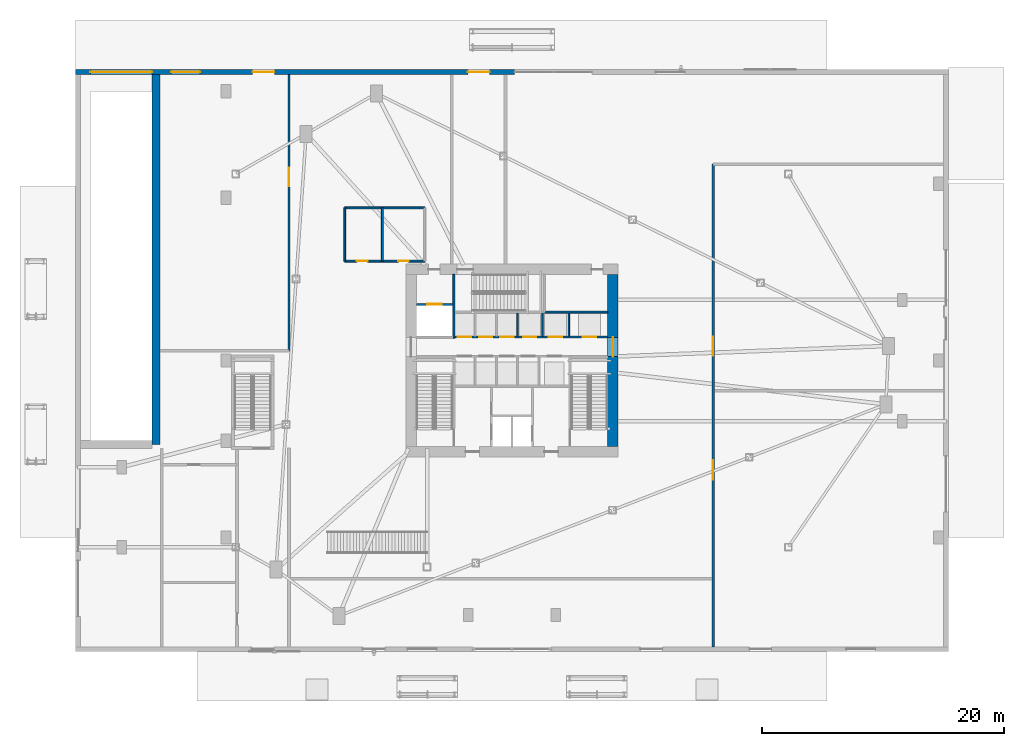
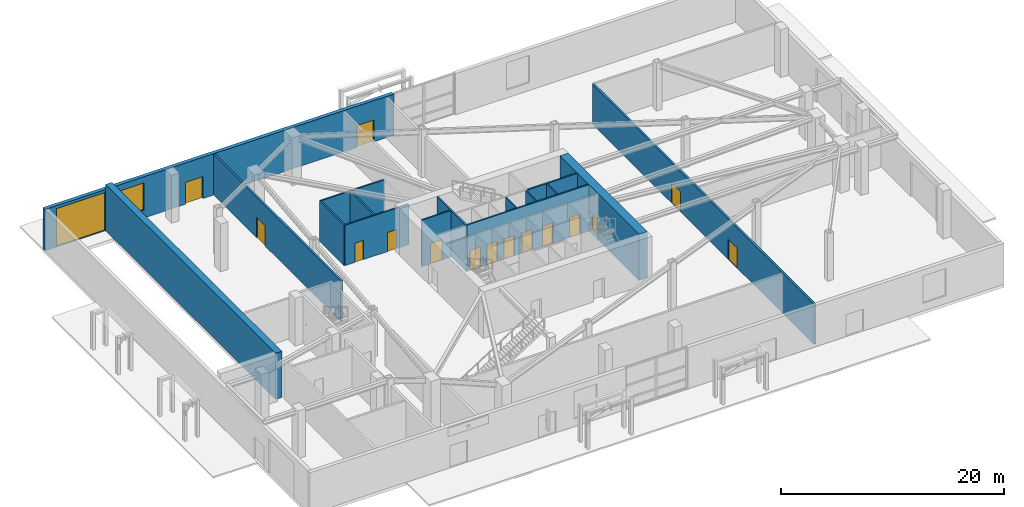
# One storey, part 15 of 22: 16 doors, 16 walls, 1 window, 17 openings.
"""IFC4 building model written with IfcOpenShell, lengths in metres."""

from ifc_helpers import new_model, si_unit, direction, frame, frame_2d, origin, place, context, subcontext, project, spatial, rectangle, extrude, source, transform, mapped, material, layer, layer_set, type_object, type_shapes, element, fill, save


model = new_model("IFC4")

# Units and contexts
model_context = context("Model", 3, precision=1e-05, world=origin(), true_north=direction((0.0, 1.0)))
body_context = subcontext(model_context, "Body", "Model", "MODEL_VIEW")
ifc_project = project(units=[si_unit("LENGTHUNIT", "METRE"), si_unit("AREAUNIT", "SQUARE_METRE"), si_unit("VOLUMEUNIT", "CUBIC_METRE"), si_unit("PLANEANGLEUNIT", "RADIAN"), si_unit("MASSUNIT", "GRAM", prefix="KILO")], contexts=[model_context])

# Site, building, storey
site_placement = place(None, origin())
site = spatial("IfcSite", under=ifc_project, at=site_placement, CompositionType="ELEMENT")
building_placement = place(site_placement, origin())
building = spatial("IfcBuilding", under=site, at=building_placement, Name="Olszyna Solenne Hotel", CompositionType="ELEMENT")
storey_placement = place(building_placement, origin())
storey = spatial("IfcBuildingStorey", under=building, at=storey_placement, Name="L00", CompositionType="ELEMENT", Elevation=0.0)

# Wall, opening, door
ifc_material_1 = material(Name="Concrete C60/75", Category="concrete")
ifc_layer_1 = layer(ifc_material_1, 0.85009765625, Name="Concrete C60/75")
ifc_layer_set_1 = layer_set([ifc_layer_1], Name="Concrete C60/75")
wall_type_1 = type_object("IfcWallType", Name="WL-CR850", PredefinedType="SHEAR", material=ifc_layer_set_1)
wall_1_placement = place(storey_placement, frame((46.324951171875, 33.699951171875, 0.0), z_axis=(0.0, 0.0, 1.0), x_axis=(0.0, -1.0, 0.0)))
wall_1 = element("IfcWall", 1, at=wall_1_placement, inside=storey, type_object=wall_type_1, Name="Core shear wall WL-CR850 CRW-L00-E", PredefinedType="SHEAR", context=body_context, shape_type="SweptSolid", body=[
    extrude(rectangle(XDim=14.199951171875, YDim=0.85009765625, at=frame_2d((7.10009765625, 0.0))), origin(), (0.0, 0.0, 1.0), 5.080078125),
])
opening_1_placement = place(wall_1_placement, frame((5.179931640625, 0.0, 0.0)))
opening_1 = element("IfcOpeningElement", 2, at=opening_1_placement, cuts=wall_1, Name="Opening LHD-L00-E", PredefinedType="OPENING", context=body_context, shape_type="SweptSolid", body=[
    extrude(rectangle(XDim=1.60009765625, YDim=2.199951171875, at=frame_2d((0.800048828125, 1.10009765625))), frame((0.0, 0.43505859375, 0.0), z_axis=(0.0, -1.0, 0.0), x_axis=(1.0, 0.0, 0.0)), (0.0, 0.0, 1.0), 0.8701171875),
])
ifc_material_2 = material(Name="Timber hardwood", Category="wood")
door_type_1 = type_object("IfcDoorType", Name="DR-CR1", OperationType="DOUBLE_DOOR_SINGLE_SWING", PredefinedType="DOOR", material=ifc_material_2)
shared_shape_1 = source(origin(), body_context, "Body", "SweptSolid", [
    extrude(rectangle(XDim=1.60009765625, YDim=2.199951171875, at=frame_2d((0.800048828125, 1.10009765625))), frame((0.0, 0.02490234375, 0.0), z_axis=(0.0, -1.0, 0.0), x_axis=(1.0, 0.0, 0.0)), (0.0, 0.0, 1.0), 0.050048828125),
])
type_shapes(door_type_1, [shared_shape_1])
door_1_placement = place(opening_1_placement, origin())
door_1 = element("IfcDoor", 3, at=door_1_placement, inside=storey, type_object=door_type_1, Name="Passenger lift lobby East fire door LHD-L00-E", OperationType="DOUBLE_DOOR_SINGLE_SWING", OverallHeight=2.199951171875, OverallWidth=1.60009765625, PredefinedType="DOOR", context=body_context, shape_type="MappedRepresentation", body=[
    mapped(shared_shape_1, transform((0.0, 0.0, 0.0), x_axis=(1.0, 0.0, 0.0), y_axis=(0.0, 1.0, 0.0), z_axis=(0.0, 0.0, 1.0), scale=1.0)),
])
fill(opening_1, door_1)

# Wall, openings, doors, window
ifc_material_3 = material(Name="Terracotta cladding on precast concrete C45/55", Category="masonry")
ifc_layer_2 = layer(ifc_material_3, 0.3798828125, Name="Terracotta cladding on precast concrete C45/55")
ifc_layer_set_2 = layer_set([ifc_layer_2], Name="Terracotta cladding on precast concrete C45/55")
wall_type_2 = type_object("IfcWallType", Name="WL-EX380", PredefinedType="SOLIDWALL", material=ifc_layer_set_2)
wall_2_placement = place(storey_placement, frame((2.0, 50.409912109375, 0.0), z_axis=(0.0, 0.0, 1.0), x_axis=(1.0, 0.0, 0.0)))
wall_2 = element("IfcWall", 4, at=wall_2_placement, inside=storey, type_object=wall_type_2, Name="Podium terracotta-precast exterior wall EW-L00-NW", PredefinedType="SOLIDWALL", context=body_context, shape_type="SweptSolid", body=[
    extrude(rectangle(XDim=36.199951171875, YDim=0.3798828125, at=frame_2d((18.10009765625, 0.0))), origin(), (0.0, 0.0, 1.0), 4.52197265625),
])
opening_2_placement = place(wall_2_placement, frame((1.199951171875, 0.0, 0.0)))
opening_2 = element("IfcOpeningElement", 5, at=opening_2_placement, cuts=wall_2, Name="Opening VG-L00-01", PredefinedType="OPENING", context=body_context, shape_type="SweptSolid", body=[
    extrude(rectangle(XDim=5.10009765625, YDim=4.199951171875, at=frame_2d((2.550048828125, 2.10009765625))), frame((0.0, 0.199951171875, 0.0), z_axis=(0.0, -1.0, 0.0), x_axis=(1.0, 0.0, 0.0)), (0.0, 0.0, 1.0), 0.39990234375),
])
opening_3_placement = place(wall_2_placement, frame((14.60009765625, 0.0, 0.0)))
opening_3 = element("IfcOpeningElement", 6, at=opening_3_placement, cuts=wall_2, Name="Opening ED-05", PredefinedType="OPENING", context=body_context, shape_type="SweptSolid", body=[
    extrude(rectangle(XDim=1.800048828125, YDim=2.39990234375, at=frame_2d((0.89990234375, 1.199951171875))), frame((0.0, 0.199951171875, 0.0), z_axis=(0.0, -1.0, 0.0), x_axis=(1.0, 0.0, 0.0)), (0.0, 0.0, 1.0), 0.39990234375),
])
opening_4_placement = place(wall_2_placement, frame((32.35009765625, 0.0, 0.0)))
opening_4 = element("IfcOpeningElement", 7, at=opening_4_placement, cuts=wall_2, Name="Opening ED-06", PredefinedType="OPENING", context=body_context, shape_type="SweptSolid", body=[
    extrude(rectangle(XDim=1.800048828125, YDim=2.39990234375, at=frame_2d((0.89990234375, 1.199951171875))), frame((0.0, 0.199951171875, 0.0), z_axis=(0.0, -1.0, 0.0), x_axis=(1.0, 0.0, 0.0)), (0.0, 0.0, 1.0), 0.39990234375),
])
opening_5_placement = place(wall_2_placement, frame((7.864013671875, 0.0, 0.85009765625)))
opening_5 = element("IfcOpeningElement", 8, at=opening_5_placement, cuts=wall_2, Name="Opening WN-L00-003", PredefinedType="OPENING", context=body_context, shape_type="SweptSolid", body=[
    extrude(rectangle(XDim=2.39990234375, YDim=3.0, at=frame_2d((1.199951171875, 1.5))), frame((0.0, 0.199951171875, 0.0), z_axis=(0.0, -1.0, 0.0), x_axis=(1.0, 0.0, 0.0)), (0.0, 0.0, 1.0), 0.39990234375),
])
ifc_material_4 = material(Name="Steel S355J2", Category="steel")
door_type_2 = type_object("IfcDoorType", Name="VG-01", OperationType="ROLLINGUP", PredefinedType="GATE", material=ifc_material_4)
shared_shape_2 = source(origin(), body_context, "Body", "SweptSolid", [
    extrude(rectangle(XDim=5.10009765625, YDim=4.199951171875, at=frame_2d((2.550048828125, 2.10009765625))), frame((0.0, 0.02490234375, 0.0), z_axis=(0.0, -1.0, 0.0), x_axis=(1.0, 0.0, 0.0)), (0.0, 0.0, 1.0), 0.050048828125),
])
type_shapes(door_type_2, [shared_shape_2])
door_2_placement = place(opening_2_placement, origin())
door_2 = element("IfcDoor", 9, at=door_2_placement, inside=storey, type_object=door_type_2, Name="Vehicle Ramp Street Exit Roller Shutter Gate VG-L00-01", OperationType="ROLLINGUP", OverallHeight=4.199951171875, OverallWidth=5.10009765625, PredefinedType="GATE", context=body_context, shape_type="MappedRepresentation", body=[
    mapped(shared_shape_2, transform((0.0, 0.0, 0.0), x_axis=(1.0, 0.0, 0.0), y_axis=(0.0, 1.0, 0.0), z_axis=(0.0, 0.0, 1.0), scale=1.0)),
])
fill(opening_2, door_2)
ifc_material_5 = material(Name="Anodised bronze aluminium", Category="aluminium")
door_type_3 = type_object("IfcDoorType", Name="DR-EX1", OperationType="DOUBLE_DOOR_SINGLE_SWING", PredefinedType="DOOR", material=ifc_material_5)
shared_shape_3 = source(origin(), body_context, "Body", "SweptSolid", [
    extrude(rectangle(XDim=1.800048828125, YDim=2.39990234375, at=frame_2d((0.89990234375, 1.199951171875))), frame((0.0, 0.02490234375, 0.0), z_axis=(0.0, -1.0, 0.0), x_axis=(1.0, 0.0, 0.0)), (0.0, 0.0, 1.0), 0.050048828125),
])
type_shapes(door_type_3, [shared_shape_3])
door_3_placement = place(opening_3_placement, origin())
door_3 = element("IfcDoor", 10, at=door_3_placement, inside=storey, type_object=door_type_3, Name="Pedestrian Exit Door ED-05", OperationType="DOUBLE_DOOR_SINGLE_SWING", OverallHeight=2.39990234375, OverallWidth=1.800048828125, PredefinedType="DOOR", context=body_context, shape_type="MappedRepresentation", body=[
    mapped(shared_shape_3, transform((0.0, 0.0, 0.0), x_axis=(1.0, 0.0, 0.0), y_axis=(0.0, 1.0, 0.0), z_axis=(0.0, 0.0, 1.0), scale=1.0)),
])
fill(opening_3, door_3)
door_4_placement = place(opening_4_placement, origin())
door_4 = element("IfcDoor", 11, at=door_4_placement, inside=storey, type_object=door_type_3, Name="Pedestrian Exit Door ED-06", OperationType="DOUBLE_DOOR_SINGLE_SWING", OverallHeight=2.39990234375, OverallWidth=1.800048828125, PredefinedType="DOOR", context=body_context, shape_type="MappedRepresentation", body=[
    mapped(shared_shape_3, transform((0.0, 0.0, 0.0), x_axis=(1.0, 0.0, 0.0), y_axis=(0.0, 1.0, 0.0), z_axis=(0.0, 0.0, 1.0), scale=1.0)),
])
fill(opening_4, door_4)
ifc_material_6 = material(Name="Low-E triple glazing", Category="glass")
window_type = type_object("IfcWindowType", Name="WN-PD1", PartitioningType="SINGLE_PANEL", PredefinedType="WINDOW", material=ifc_material_6)
shared_shape_4 = source(origin(), body_context, "Body", "SweptSolid", [
    extrude(rectangle(XDim=2.39990234375, YDim=3.0, at=frame_2d((1.199951171875, 1.5))), frame((0.0, 0.030029296875, 0.0), z_axis=(0.0, -1.0, 0.0), x_axis=(1.0, 0.0, 0.0)), (0.0, 0.0, 1.0), 0.06005859375),
])
type_shapes(window_type, [shared_shape_4])
window_placement = place(opening_5_placement, origin())
window = element("IfcWindow", 12, at=window_placement, inside=storey, type_object=window_type, Name="Podium triple-glazed window WN-PD1 WN-L00-003", OverallHeight=3.0, OverallWidth=2.39990234375, PartitioningType="SINGLE_PANEL", PredefinedType="WINDOW", context=body_context, shape_type="MappedRepresentation", body=[
    mapped(shared_shape_4, transform((0.0, 0.0, 0.0), x_axis=(1.0, 0.0, 0.0), y_axis=(0.0, 1.0, 0.0), z_axis=(0.0, 0.0, 1.0), scale=1.0)),
])
fill(opening_5, window)

# Walls
ifc_material_7 = material(Name="Acoustic gypsum partition", Category="gypsum")
ifc_layer_3 = layer(ifc_material_7, 0.125, Name="Acoustic gypsum partition")
ifc_layer_set_3 = layer_set([ifc_layer_3], Name="Acoustic gypsum partition")
wall_type_3 = type_object("IfcWallType", Name="WL-PT125", PredefinedType="PARTITIONING", material=ifc_layer_set_3)
for number, where, z_axis, x_axis, name in (
    (13, (38.465087890625, 28.60009765625, 0.0), (0.0, 0.0, 1.0), (0.0, 1.0, 0.0), "Core shaft compartment wall CW-L00-DIVN384"),
    (14, (40.52490234375, 28.60009765625, 0.0), (0.0, 0.0, 1.0), (0.0, 1.0, 0.0), "Core shaft compartment wall CW-L00-DIVEX405"),
    (15, (42.699951171875, 28.60009765625, 0.0), (0.0, 0.0, 1.0), (0.0, 1.0, 0.0), "Core shaft compartment wall CW-L00-DIVEX427"),
):
    element("IfcWall", number, at=place(storey_placement, frame(where, z_axis=z_axis, x_axis=x_axis)), inside=storey, type_object=wall_type_3, Name=name, PredefinedType="PARTITIONING", context=body_context, shape_type="SweptSolid", body=[
        extrude(rectangle(XDim=1.919921875, YDim=0.125, at=frame_2d((0.9599609375, 0.0))), origin(), (0.0, 0.0, 1.0), 5.080078125),
    ])
ifc_layer_4 = layer(ifc_material_7, 0.159912109375, Name="Acoustic gypsum partition")
ifc_layer_set_4 = layer_set([ifc_layer_4], Name="Acoustic gypsum partition")
wall_type_4 = type_object("IfcWallType", Name="WL-PT160", PredefinedType="PARTITIONING", material=ifc_layer_set_4)
wall_3_placement = place(storey_placement, frame((33.199951171875, 28.43994140625, 0.0), z_axis=(0.0, 0.0, 1.0), x_axis=(0.0, 1.0, 0.0)))
element("IfcWall", 16, at=wall_3_placement, inside=storey, type_object=wall_type_4, Name="Core shaft compartment wall CW-L00-SV1E", PredefinedType="PARTITIONING", context=body_context, shape_type="SweptSolid", body=[
    extrude(rectangle(XDim=5.260009765625, YDim=0.159912109375, at=frame_2d((2.6298828125, 0.0))), origin(), (0.0, 0.0, 1.0), 5.080078125),
])

# Wall, opening, door
wall_4_placement = place(storey_placement, frame((30.10009765625, 31.239990234375, 0.0), z_axis=(0.0, 0.0, 1.0), x_axis=(1.0, 0.0, 0.0)))
wall_4 = element("IfcWall", 17, at=wall_4_placement, inside=storey, type_object=wall_type_4, Name="Core shaft compartment wall CW-L00-SV1N", PredefinedType="PARTITIONING", context=body_context, shape_type="SweptSolid", body=[
    extrude(rectangle(XDim=3.02001953125, YDim=0.159912109375, at=frame_2d((1.510009765625, 0.0))), origin(), (0.0, 0.0, 1.0), 5.080078125),
])
opening_6_placement = place(wall_4_placement, frame((0.909912109375, 0.0, 0.0)))
opening_6 = element("IfcOpeningElement", 18, at=opening_6_placement, cuts=wall_4, Name="Opening LD-L00-SV1", PredefinedType="OPENING", context=body_context, shape_type="SweptSolid", body=[
    extrude(rectangle(XDim=1.199951171875, YDim=2.199951171875, at=frame_2d((0.60009765625, 1.10009765625))), frame((0.0, 0.08984375, 0.0), z_axis=(0.0, -1.0, 0.0), x_axis=(1.0, 0.0, 0.0)), (0.0, 0.0, 1.0), 0.179931640625),
])
door_type_4 = type_object("IfcDoorType", Name="LD-FF1", OperationType="DOUBLE_DOOR_SLIDING", PredefinedType="DOOR", material=ifc_material_4)
shared_shape_5 = source(origin(), body_context, "Body", "SweptSolid", [
    extrude(rectangle(XDim=1.199951171875, YDim=2.199951171875, at=frame_2d((0.60009765625, 1.10009765625))), frame((0.0, 0.02490234375, 0.0), z_axis=(0.0, -1.0, 0.0), x_axis=(1.0, 0.0, 0.0)), (0.0, 0.0, 1.0), 0.050048828125),
])
type_shapes(door_type_4, [shared_shape_5])
door_5_placement = place(opening_6_placement, origin())
door_5 = element("IfcDoor", 19, at=door_5_placement, inside=storey, type_object=door_type_4, Name="Service lift SV1 sliding landing door LD-L00-SV1", OperationType="DOUBLE_DOOR_SLIDING", OverallHeight=2.199951171875, OverallWidth=1.199951171875, PredefinedType="DOOR", context=body_context, shape_type="MappedRepresentation", body=[
    mapped(shared_shape_5, transform((0.0, 0.0, 0.0), x_axis=(1.0, 0.0, 0.0), y_axis=(0.0, 1.0, 0.0), z_axis=(0.0, 0.0, 1.0), scale=1.0)),
])
fill(opening_6, door_5)

# Wall, openings, doors
wall_5_placement = place(storey_placement, frame((33.280029296875, 28.5400390625, 0.0), z_axis=(0.0, 0.0, 1.0), x_axis=(1.0, 0.0, 0.0)))
wall_5 = element("IfcWall", 20, at=wall_5_placement, inside=storey, type_object=wall_type_4, Name="Core shaft compartment wall CW-L00-LRN", PredefinedType="PARTITIONING", context=body_context, shape_type="SweptSolid", body=[
    extrude(rectangle(XDim=12.619873046875, YDim=0.159912109375, at=frame_2d((6.31005859375, 0.0))), origin(), (0.0, 0.0, 1.0), 5.080078125),
])
opening_7_placement = place(wall_5_placement, frame((0.260009765625, 0.0, 0.0)))
opening_7 = element("IfcOpeningElement", 21, at=opening_7_placement, cuts=wall_5, Name="Opening LD-L00-PL6", PredefinedType="OPENING", context=body_context, shape_type="SweptSolid", body=[
    extrude(rectangle(XDim=1.10009765625, YDim=2.199951171875, at=frame_2d((0.550048828125, 1.10009765625))), frame((0.0, 0.08984375, 0.0), z_axis=(0.0, -1.0, 0.0), x_axis=(1.0, 0.0, 0.0)), (0.0, 0.0, 1.0), 0.179931640625),
])
opening_8_placement = place(wall_5_placement, frame((2.010009765625, 0.0, 0.0)))
opening_8 = element("IfcOpeningElement", 22, at=opening_8_placement, cuts=wall_5, Name="Opening LD-L00-PL7", PredefinedType="OPENING", context=body_context, shape_type="SweptSolid", body=[
    extrude(rectangle(XDim=1.10009765625, YDim=2.199951171875, at=frame_2d((0.550048828125, 1.10009765625))), frame((0.0, 0.08984375, 0.0), z_axis=(0.0, -1.0, 0.0), x_axis=(1.0, 0.0, 0.0)), (0.0, 0.0, 1.0), 0.179931640625),
])
opening_9_placement = place(wall_5_placement, frame((3.760009765625, 0.0, 0.0)))
opening_9 = element("IfcOpeningElement", 23, at=opening_9_placement, cuts=wall_5, Name="Opening LD-L00-PL8", PredefinedType="OPENING", context=body_context, shape_type="SweptSolid", body=[
    extrude(rectangle(XDim=1.10009765625, YDim=2.199951171875, at=frame_2d((0.550048828125, 1.10009765625))), frame((0.0, 0.08984375, 0.0), z_axis=(0.0, -1.0, 0.0), x_axis=(1.0, 0.0, 0.0)), (0.0, 0.0, 1.0), 0.179931640625),
])
opening_10_placement = place(wall_5_placement, frame((5.6298828125, 0.0, 0.0)))
opening_10 = element("IfcOpeningElement", 24, at=opening_10_placement, cuts=wall_5, Name="Opening LD-L00-EX1", PredefinedType="OPENING", context=body_context, shape_type="SweptSolid", body=[
    extrude(rectangle(XDim=1.10009765625, YDim=2.199951171875, at=frame_2d((0.550048828125, 1.10009765625))), frame((0.0, 0.08984375, 0.0), z_axis=(0.0, -1.0, 0.0), x_axis=(1.0, 0.0, 0.0)), (0.0, 0.0, 1.0), 0.179931640625),
])
opening_11_placement = place(wall_5_placement, frame((7.760009765625, 0.0, 0.0)))
opening_11 = element("IfcOpeningElement", 25, at=opening_11_placement, cuts=wall_5, Name="Opening LD-L00-EX2", PredefinedType="OPENING", context=body_context, shape_type="SweptSolid", body=[
    extrude(rectangle(XDim=1.10009765625, YDim=2.199951171875, at=frame_2d((0.550048828125, 1.10009765625))), frame((0.0, 0.08984375, 0.0), z_axis=(0.0, -1.0, 0.0), x_axis=(1.0, 0.0, 0.0)), (0.0, 0.0, 1.0), 0.179931640625),
])
opening_12_placement = place(wall_5_placement, frame((10.56005859375, 0.0, 0.0)))
opening_12 = element("IfcOpeningElement", 26, at=opening_12_placement, cuts=wall_5, Name="Opening LD-L00-EX3", PredefinedType="OPENING", context=body_context, shape_type="SweptSolid", body=[
    extrude(rectangle(XDim=1.10009765625, YDim=2.199951171875, at=frame_2d((0.550048828125, 1.10009765625))), frame((0.0, 0.08984375, 0.0), z_axis=(0.0, -1.0, 0.0), x_axis=(1.0, 0.0, 0.0)), (0.0, 0.0, 1.0), 0.179931640625),
])
door_type_5 = type_object("IfcDoorType", Name="LD-P1", OperationType="DOUBLE_DOOR_SLIDING", PredefinedType="DOOR", material=ifc_material_4)
shared_shape_6 = source(origin(), body_context, "Body", "SweptSolid", [
    extrude(rectangle(XDim=1.10009765625, YDim=2.199951171875, at=frame_2d((0.550048828125, 1.10009765625))), frame((0.0, 0.02490234375, 0.0), z_axis=(0.0, -1.0, 0.0), x_axis=(1.0, 0.0, 0.0)), (0.0, 0.0, 1.0), 0.050048828125),
])
type_shapes(door_type_5, [shared_shape_6])
door_6_placement = place(opening_7_placement, origin())
door_6 = element("IfcDoor", 27, at=door_6_placement, inside=storey, type_object=door_type_5, Name="Passenger lift PL6 sliding landing door LD-L00-PL6", OperationType="DOUBLE_DOOR_SLIDING", OverallHeight=2.199951171875, OverallWidth=1.10009765625, PredefinedType="DOOR", context=body_context, shape_type="MappedRepresentation", body=[
    mapped(shared_shape_6, transform((0.0, 0.0, 0.0), x_axis=(1.0, 0.0, 0.0), y_axis=(0.0, 1.0, 0.0), z_axis=(0.0, 0.0, 1.0), scale=1.0)),
])
fill(opening_7, door_6)
door_7_placement = place(opening_8_placement, origin())
door_7 = element("IfcDoor", 28, at=door_7_placement, inside=storey, type_object=door_type_5, Name="Passenger lift PL7 sliding landing door LD-L00-PL7", OperationType="DOUBLE_DOOR_SLIDING", OverallHeight=2.199951171875, OverallWidth=1.10009765625, PredefinedType="DOOR", context=body_context, shape_type="MappedRepresentation", body=[
    mapped(shared_shape_6, transform((0.0, 0.0, 0.0), x_axis=(1.0, 0.0, 0.0), y_axis=(0.0, 1.0, 0.0), z_axis=(0.0, 0.0, 1.0), scale=1.0)),
])
fill(opening_8, door_7)
door_8_placement = place(opening_9_placement, origin())
door_8 = element("IfcDoor", 29, at=door_8_placement, inside=storey, type_object=door_type_5, Name="Passenger lift PL8 sliding landing door LD-L00-PL8", OperationType="DOUBLE_DOOR_SLIDING", OverallHeight=2.199951171875, OverallWidth=1.10009765625, PredefinedType="DOOR", context=body_context, shape_type="MappedRepresentation", body=[
    mapped(shared_shape_6, transform((0.0, 0.0, 0.0), x_axis=(1.0, 0.0, 0.0), y_axis=(0.0, 1.0, 0.0), z_axis=(0.0, 0.0, 1.0), scale=1.0)),
])
fill(opening_9, door_8)
door_9_placement = place(opening_10_placement, origin())
door_9 = element("IfcDoor", 30, at=door_9_placement, inside=storey, type_object=door_type_5, Name="Express lift EX1 sliding landing door LD-L00-EX1", OperationType="DOUBLE_DOOR_SLIDING", OverallHeight=2.199951171875, OverallWidth=1.10009765625, PredefinedType="DOOR", context=body_context, shape_type="MappedRepresentation", body=[
    mapped(shared_shape_6, transform((0.0, 0.0, 0.0), x_axis=(1.0, 0.0, 0.0), y_axis=(0.0, 1.0, 0.0), z_axis=(0.0, 0.0, 1.0), scale=1.0)),
])
fill(opening_10, door_9)
door_10_placement = place(opening_11_placement, origin())
door_10 = element("IfcDoor", 31, at=door_10_placement, inside=storey, type_object=door_type_5, Name="Express lift EX2 sliding landing door LD-L00-EX2", OperationType="DOUBLE_DOOR_SLIDING", OverallHeight=2.199951171875, OverallWidth=1.10009765625, PredefinedType="DOOR", context=body_context, shape_type="MappedRepresentation", body=[
    mapped(shared_shape_6, transform((0.0, 0.0, 0.0), x_axis=(1.0, 0.0, 0.0), y_axis=(0.0, 1.0, 0.0), z_axis=(0.0, 0.0, 1.0), scale=1.0)),
])
fill(opening_11, door_10)
door_11_placement = place(opening_12_placement, origin())
door_11 = element("IfcDoor", 32, at=door_11_placement, inside=storey, type_object=door_type_5, Name="Express lift EX3 sliding landing door LD-L00-EX3", OperationType="DOUBLE_DOOR_SLIDING", OverallHeight=2.199951171875, OverallWidth=1.10009765625, PredefinedType="DOOR", context=body_context, shape_type="MappedRepresentation", body=[
    mapped(shared_shape_6, transform((0.0, 0.0, 0.0), x_axis=(1.0, 0.0, 0.0), y_axis=(0.0, 1.0, 0.0), z_axis=(0.0, 0.0, 1.0), scale=1.0)),
])
fill(opening_12, door_11)

# Wall
wall_6_placement = place(storey_placement, frame((40.719970703125, 30.60009765625, 0.0), z_axis=(0.0, 0.0, 1.0), x_axis=(1.0, 0.0, 0.0)))
element("IfcWall", 33, at=wall_6_placement, inside=storey, type_object=wall_type_4, Name="Core shaft compartment wall CW-L00-LRNTOP", PredefinedType="PARTITIONING", context=body_context, shape_type="SweptSolid", body=[
    extrude(rectangle(XDim=5.179931640625, YDim=0.159912109375, at=frame_2d((2.58984375, 0.0))), origin(), (0.0, 0.0, 1.0), 5.080078125),
])

# Wall, openings, doors
wall_7_placement = place(storey_placement, frame((24.199951171875, 34.800048828125, 0.0), z_axis=(0.0, 0.0, 1.0), x_axis=(1.0, 0.0, 0.0)))
wall_7 = element("IfcWall", 34, at=wall_7_placement, inside=storey, type_object=wall_type_4, Name="Interior acoustic partition WL-PT160 PW-L00-0098", PredefinedType="PARTITIONING", context=body_context, shape_type="SweptSolid", body=[
    extrude(rectangle(XDim=6.60009765625, YDim=0.159912109375, at=frame_2d((3.300048828125, 0.0))), origin(), (0.0, 0.0, 1.0), 4.429931640625),
])
opening_13_placement = place(wall_7_placement, frame((1.0, 0.0, 0.0)))
opening_13 = element("IfcOpeningElement", 35, at=opening_13_placement, cuts=wall_7, Name="Opening DR-L00-0021", PredefinedType="OPENING", context=body_context, shape_type="SweptSolid", body=[
    extrude(rectangle(XDim=0.89990234375, YDim=2.10009765625, at=frame_2d((0.449951171875, 1.050048828125))), frame((0.0, 0.08984375, 0.0), z_axis=(0.0, -1.0, 0.0), x_axis=(1.0, 0.0, 0.0)), (0.0, 0.0, 1.0), 0.179931640625),
])
opening_14_placement = place(wall_7_placement, frame((4.39990234375, 0.0, 0.0)))
opening_14 = element("IfcOpeningElement", 36, at=opening_14_placement, cuts=wall_7, Name="Opening DR-L00-0022", PredefinedType="OPENING", context=body_context, shape_type="SweptSolid", body=[
    extrude(rectangle(XDim=0.89990234375, YDim=2.10009765625, at=frame_2d((0.449951171875, 1.050048828125))), frame((0.0, 0.08984375, 0.0), z_axis=(0.0, -1.0, 0.0), x_axis=(1.0, 0.0, 0.0)), (0.0, 0.0, 1.0), 0.179931640625),
])
door_type_6 = type_object("IfcDoorType", Name="DR-WC1", OperationType="NOTDEFINED", PredefinedType="DOOR", material=ifc_material_2)
shared_shape_7 = source(origin(), body_context, "Body", "SweptSolid", [
    extrude(rectangle(XDim=0.89990234375, YDim=2.10009765625, at=frame_2d((0.449951171875, 1.050048828125))), frame((0.0, 0.02490234375, 0.0), z_axis=(0.0, -1.0, 0.0), x_axis=(1.0, 0.0, 0.0)), (0.0, 0.0, 1.0), 0.050048828125),
])
type_shapes(door_type_6, [shared_shape_7])
door_12_placement = place(opening_13_placement, origin())
door_12 = element("IfcDoor", 37, at=door_12_placement, inside=storey, type_object=door_type_6, Name="Accessible WC Door DR-L00-0021", OperationType="SINGLE_SWING_LEFT", OverallHeight=2.10009765625, OverallWidth=0.89990234375, PredefinedType="DOOR", context=body_context, shape_type="MappedRepresentation", body=[
    mapped(shared_shape_7, transform((0.0, 0.0, 0.0), x_axis=(1.0, 0.0, 0.0), y_axis=(0.0, 1.0, 0.0), z_axis=(0.0, 0.0, 1.0), scale=1.0)),
])
fill(opening_13, door_12)
door_13_placement = place(opening_14_placement, origin())
door_13 = element("IfcDoor", 38, at=door_13_placement, inside=storey, type_object=door_type_6, Name="Public Restrooms Door DR-L00-0022", OperationType="SINGLE_SWING_RIGHT", OverallHeight=2.10009765625, OverallWidth=0.89990234375, PredefinedType="DOOR", context=body_context, shape_type="MappedRepresentation", body=[
    mapped(shared_shape_7, transform((0.0, 0.0, 0.0), x_axis=(1.0, 0.0, 0.0), y_axis=(0.0, 1.0, 0.0), z_axis=(0.0, 0.0, 1.0), scale=1.0)),
])
fill(opening_14, door_13)

# Walls
wall_8_placement = place(storey_placement, frame((24.199951171875, 39.199951171875, 0.0), z_axis=(0.0, 0.0, 1.0), x_axis=(1.0, 0.0, 0.0)))
element("IfcWall", 39, at=wall_8_placement, inside=storey, type_object=wall_type_4, Name="Interior acoustic partition WL-PT160 PW-L00-0099", PredefinedType="PARTITIONING", context=body_context, shape_type="SweptSolid", body=[
    extrude(rectangle(XDim=6.60009765625, YDim=0.159912109375, at=frame_2d((3.300048828125, 0.0))), origin(), (0.0, 0.0, 1.0), 4.429931640625),
])
for number, where, z_axis, x_axis, name in (
    (40, (24.199951171875, 34.800048828125, 0.0), (0.0, 0.0, 1.0), (0.0, 1.0, 0.0), "Interior acoustic partition WL-PT160 PW-L00-0100"),
    (41, (27.300048828125, 34.800048828125, 0.0), (0.0, 0.0, 1.0), (0.0, 1.0, 0.0), "Interior acoustic partition WL-PT160 PW-L00-0101"),
):
    element("IfcWall", number, at=place(storey_placement, frame(where, z_axis=z_axis, x_axis=x_axis)), inside=storey, type_object=wall_type_4, Name=name, PredefinedType="PARTITIONING", context=body_context, shape_type="SweptSolid", body=[
        extrude(rectangle(XDim=4.39990234375, YDim=0.159912109375, at=frame_2d((2.199951171875, 0.0))), origin(), (0.0, 0.0, 1.0), 4.429931640625),
    ])

# Wall, opening, door
ifc_layer_5 = layer(ifc_material_7, 0.199951171875, Name="Acoustic gypsum partition")
ifc_layer_set_5 = layer_set([ifc_layer_5], Name="Acoustic gypsum partition")
wall_type_5 = type_object("IfcWallType", Name="WL-PT200", PredefinedType="PARTITIONING", material=ifc_layer_set_5)
wall_9_placement = place(storey_placement, frame((19.60009765625, 27.39990234375, 0.0), z_axis=(0.0, 0.0, 1.0), x_axis=(0.0, 1.0, 0.0)))
wall_9 = element("IfcWall", 42, at=wall_9_placement, inside=storey, type_object=wall_type_5, Name="Interior acoustic partition WL-PT200 PW-L00-0092", PredefinedType="PARTITIONING", context=body_context, shape_type="SweptSolid", body=[
    extrude(rectangle(XDim=22.820068359375, YDim=0.199951171875, at=frame_2d((11.41015625, 0.0))), origin(), (0.0, 0.0, 1.0), 4.429931640625),
])
opening_15_placement = place(wall_9_placement, frame((13.60009765625, 0.0, 0.0)))
opening_15 = element("IfcOpeningElement", 43, at=opening_15_placement, cuts=wall_9, Name="Opening DR-L00-0018", PredefinedType="OPENING", context=body_context, shape_type="SweptSolid", body=[
    extrude(rectangle(XDim=1.5, YDim=2.25, at=frame_2d((0.75, 1.125))), frame((0.0, 0.10986328125, 0.0), z_axis=(0.0, -1.0, 0.0), x_axis=(1.0, 0.0, 0.0)), (0.0, 0.0, 1.0), 0.219970703125),
])
door_type_7 = type_object("IfcDoorType", Name="DR-PL1", OperationType="DOUBLE_DOOR_SINGLE_SWING", PredefinedType="DOOR", material=ifc_material_4)
shared_shape_8 = source(origin(), body_context, "Body", "SweptSolid", [
    extrude(rectangle(XDim=1.5, YDim=2.25, at=frame_2d((0.75, 1.125))), frame((0.0, 0.02490234375, 0.0), z_axis=(0.0, -1.0, 0.0), x_axis=(1.0, 0.0, 0.0)), (0.0, 0.0, 1.0), 0.050048828125),
])
type_shapes(door_type_7, [shared_shape_8])
door_14_placement = place(opening_15_placement, origin())
door_14 = element("IfcDoor", 44, at=door_14_placement, inside=storey, type_object=door_type_7, Name="Kitchen Double Door DR-L00-0018", OperationType="DOUBLE_DOOR_SINGLE_SWING", OverallHeight=2.25, OverallWidth=1.5, PredefinedType="DOOR", context=body_context, shape_type="MappedRepresentation", body=[
    mapped(shared_shape_8, transform((0.0, 0.0, 0.0), x_axis=(1.0, 0.0, 0.0), y_axis=(0.0, 1.0, 0.0), z_axis=(0.0, 0.0, 1.0), scale=1.0)),
])
fill(opening_15, door_14)

# Wall, openings, doors
wall_10_placement = place(storey_placement, frame((54.60009765625, 2.97998046875, 0.0), z_axis=(0.0, 0.0, 1.0), x_axis=(0.0, 1.0, 0.0)))
wall_10 = element("IfcWall", 45, at=wall_10_placement, inside=storey, type_object=wall_type_5, Name="Interior acoustic partition WL-PT200 PW-L00-0095", PredefinedType="PARTITIONING", context=body_context, shape_type="SweptSolid", body=[
    extrude(rectangle(XDim=39.820068359375, YDim=0.199951171875, at=frame_2d((19.91015625, 0.0))), origin(), (0.0, 0.0, 1.0), 4.429931640625),
])
opening_16_placement = place(wall_10_placement, frame((13.800048828125, 0.0, 0.0)))
opening_16 = element("IfcOpeningElement", 46, at=opening_16_placement, cuts=wall_10, Name="Opening DR-L00-0019", PredefinedType="OPENING", context=body_context, shape_type="SweptSolid", body=[
    extrude(rectangle(XDim=1.60009765625, YDim=2.199951171875, at=frame_2d((0.800048828125, 1.10009765625))), frame((0.0, 0.10986328125, 0.0), z_axis=(0.0, -1.0, 0.0), x_axis=(1.0, 0.0, 0.0)), (0.0, 0.0, 1.0), 0.219970703125),
])
opening_17_placement = place(wall_10_placement, frame((24.0, 0.0, 0.0)))
opening_17 = element("IfcOpeningElement", 47, at=opening_17_placement, cuts=wall_10, Name="Opening DR-L00-0020", PredefinedType="OPENING", context=body_context, shape_type="SweptSolid", body=[
    extrude(rectangle(XDim=1.60009765625, YDim=2.199951171875, at=frame_2d((0.800048828125, 1.10009765625))), frame((0.0, 0.10986328125, 0.0), z_axis=(0.0, -1.0, 0.0), x_axis=(1.0, 0.0, 0.0)), (0.0, 0.0, 1.0), 0.219970703125),
])
door_15_placement = place(opening_16_placement, origin())
door_15 = element("IfcDoor", 48, at=door_15_placement, inside=storey, type_object=door_type_1, Name="East Foyer Entrance DR-L00-0019", OperationType="DOUBLE_DOOR_SINGLE_SWING", OverallHeight=2.199951171875, OverallWidth=1.60009765625, PredefinedType="DOOR", context=body_context, shape_type="MappedRepresentation", body=[
    mapped(shared_shape_1, transform((0.0, 0.0, 0.0), x_axis=(1.0, 0.0, 0.0), y_axis=(0.0, 1.0, 0.0), z_axis=(0.0, 0.0, 1.0), scale=1.0)),
])
fill(opening_16, door_15)
door_16_placement = place(opening_17_placement, origin())
door_16 = element("IfcDoor", 49, at=door_16_placement, inside=storey, type_object=door_type_1, Name="East Gallery Entrance DR-L00-0020", OperationType="DOUBLE_DOOR_SINGLE_SWING", OverallHeight=2.199951171875, OverallWidth=1.60009765625, PredefinedType="DOOR", context=body_context, shape_type="MappedRepresentation", body=[
    mapped(shared_shape_1, transform((0.0, 0.0, 0.0), x_axis=(1.0, 0.0, 0.0), y_axis=(0.0, 1.0, 0.0), z_axis=(0.0, 0.0, 1.0), scale=1.0)),
])
fill(opening_17, door_16)

# Wall
ifc_material_8 = material(Name="Concrete C40/50", Category="concrete")
ifc_layer_6 = layer(ifc_material_8, 0.64990234375, Name="Concrete C40/50")
ifc_layer_set_6 = layer_set([ifc_layer_6], Name="Concrete C40/50")
wall_type_6 = type_object("IfcWallType", Name="WL-RW650", PredefinedType="SOLIDWALL", material=ifc_layer_set_6)
wall_11_placement = place(storey_placement, frame((8.625, 19.679931640625, 0.0), z_axis=(0.0, 0.0, 1.0), x_axis=(0.0, 1.0, 0.0)))
element("IfcWall", 50, at=wall_11_placement, inside=storey, type_object=wall_type_6, Name="Ground-level vehicle ramp East enclosure wall RW-L00-01", PredefinedType="SOLIDWALL", context=body_context, shape_type="SweptSolid", body=[
    extrude(rectangle(XDim=30.5400390625, YDim=0.64990234375, at=frame_2d((15.27001953125, 0.0))), origin(), (0.0, 0.0, 1.0), 5.080078125),
])

save(model, "model.ifc")
